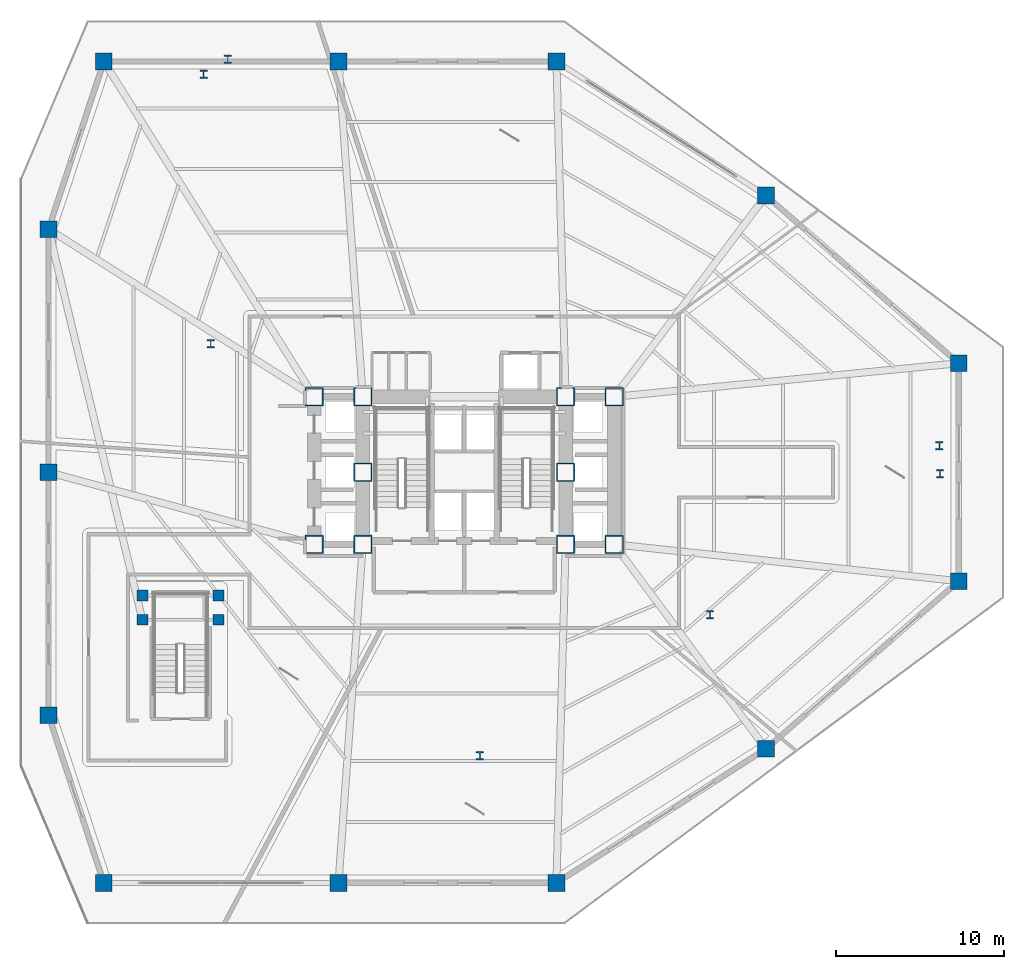
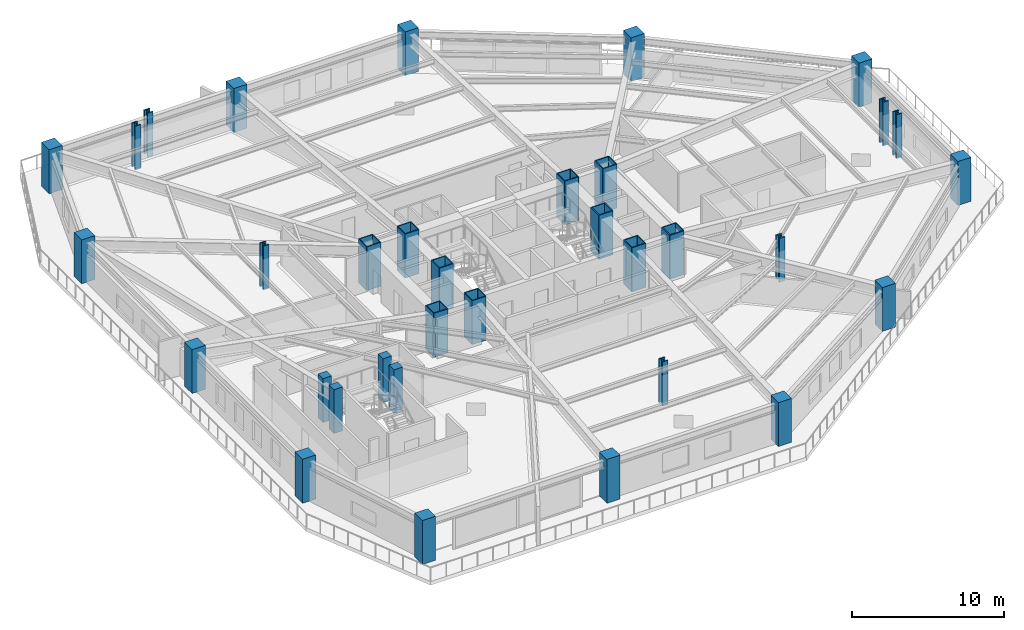
# One storey, part 1 of 12: 34 columns.
"""IFC4 building model written with IfcOpenShell, lengths in metres."""

import ifcopenshell
import ifcopenshell.guid

model = None  # the IFC model being written
_history = None  # IfcOwnerHistory: only IFC2X3 demands one
_inside = {}  # id of a spatial element -> (the spatial element, [elements in it])
_under = {}  # id of a project, library or spatial element -> (it, [spatial elements below it])
_declared = {}  # id of a project -> (the project, [libraries it declares])
_typed = {}  # id of a type object -> (the type object, [elements of that type])
_made_of = {}  # id of a material, layer set ... -> (it, [elements and type objects made of it])


def new_model(schema):
    """Start an empty IFC model of exactly this schema.

    Asked for "IFC4X3", IfcOpenShell would pick the latest addendum, in which some entities
    have other attributes; the version numbers below select the first issue.
    IFC2X3 requires an IfcOwnerHistory on every rooted entity: one is made here for all.
    """
    global model, _history
    if schema == "IFC4X3":
        model = ifcopenshell.file(schema_version=(4, 3, 0, 0))
    else:
        model = ifcopenshell.file(schema=schema)
    _inside.clear()
    _under.clear()
    _declared.clear()
    _typed.clear()
    _made_of.clear()
    _history = None
    if model.schema == "IFC2X3":
        org = make("IfcOrganization", Name="unknown")
        user = make(
            "IfcPersonAndOrganization",
            ThePerson=make("IfcPerson", FamilyName="unknown"),
            TheOrganization=org,
        )
        app = make(
            "IfcApplication",
            ApplicationDeveloper=org,
            Version="unknown",
            ApplicationFullName="unknown",
            ApplicationIdentifier="unknown",
        )
        _history = make(
            "IfcOwnerHistory",
            OwningUser=user,
            OwningApplication=app,
            ChangeAction="ADDED",
            CreationDate=0,
        )
    return model


def make(cls, **values):
    """One entity of the class cls with the attributes given. An attribute that is None is left unset."""
    return model.create_entity(
        cls, **{name: value for name, value in values.items() if value is not None}
    )


def rooted(cls, **values):
    """An entity with a GlobalId (a new one), such as an element, a storey or a relation."""
    return make(cls, GlobalId=ifcopenshell.guid.new(), OwnerHistory=_history, **values)


def si_unit(unit_type, name, prefix=None):
    """IfcSIUnit, for example si_unit("LENGTHUNIT", "METRE", prefix="MILLI")."""
    return make("IfcSIUnit", UnitType=unit_type, Prefix=prefix, Name=name)


def assignment(units):
    """IfcUnitAssignment: the units of a project."""
    return None if units is None else make("IfcUnitAssignment", Units=units)


def point(xyz):
    """IfcCartesianPoint."""
    return None if xyz is None else make("IfcCartesianPoint", Coordinates=xyz)


def direction(xyz):
    """IfcDirection."""
    return None if xyz is None else make("IfcDirection", DirectionRatios=xyz)


def frame(location, z_axis=None, x_axis=None):
    """IfcAxis2Placement3D, a coordinate frame: its origin and axes. An axis left out is left unset."""
    return make(
        "IfcAxis2Placement3D",
        Location=point(location),
        Axis=direction(z_axis),
        RefDirection=direction(x_axis),
    )


def frame_2d(location, x_axis=None):
    """IfcAxis2Placement2D, a coordinate frame in the plane: its origin and x axis."""
    return make(
        "IfcAxis2Placement2D", Location=point(location), RefDirection=direction(x_axis)
    )


def origin():
    """The frame at (0, 0, 0) with its axes left unset."""
    return frame((0.0, 0.0, 0.0))


def origin_2d():
    """The frame at (0, 0) in the plane with its x axis left unset."""
    return frame_2d((0.0, 0.0))


def place(relative_to, where):
    """IfcLocalPlacement: puts the frame where relative to a parent placement (None: the world)."""
    return make(
        "IfcLocalPlacement", PlacementRelTo=relative_to, RelativePlacement=where
    )


def context(
    kind, dimensions, precision=None, world=None, true_north=None, identifier=None
):
    """IfcGeometricRepresentationContext, for example the 3D "Model" context."""
    return make(
        "IfcGeometricRepresentationContext",
        ContextIdentifier=identifier,
        ContextType=kind,
        CoordinateSpaceDimension=dimensions,
        Precision=precision,
        WorldCoordinateSystem=world,
        TrueNorth=true_north,
    )


def subcontext(parent, identifier, kind, view, scale=None):
    """IfcGeometricRepresentationSubContext, for example "Body" below "Model"."""
    return make(
        "IfcGeometricRepresentationSubContext",
        ContextIdentifier=identifier,
        ContextType=kind,
        ParentContext=parent,
        TargetScale=scale,
        TargetView=view,
    )


def project(units=None, contexts=None):
    """IfcProject with its units and contexts."""
    return rooted(
        "IfcProject",
        Name="project",
        RepresentationContexts=contexts,
        UnitsInContext=assignment(units),
    )


def spatial(cls, under=None, at=None, **own):
    """A site, building, storey or space (cls), placed at a placement, below another one or the project."""
    s = rooted(cls, ObjectPlacement=at, **own)
    if under is not None:
        _under.setdefault(under.id(), (under, []))[1].append(s)
    return s


def profile(cls, at=None, kind="AREA", **sizes):
    """A parametric profile (cls). Its sizes go by their IFC names, for example OverallWidth=200.0."""
    return make(cls, ProfileType=kind, Position=at, **sizes)


def rectangle(**sizes):
    """IfcRectangleProfileDef."""
    return profile("IfcRectangleProfileDef", **sizes)


def hollow_rectangle(**sizes):
    """IfcRectangleHollowProfileDef."""
    return profile("IfcRectangleHollowProfileDef", **sizes)


def i_section(**sizes):
    """IfcIShapeProfileDef."""
    return profile("IfcIShapeProfileDef", **sizes)


def extrude(swept, where, along, depth):
    """IfcExtrudedAreaSolid: the profile swept, set in the frame where, extruded along a direction by depth."""
    return make(
        "IfcExtrudedAreaSolid",
        SweptArea=swept,
        Position=where,
        ExtrudedDirection=direction(along),
        Depth=depth,
    )


def shape(context_of_items, identifier, shape_type, items):
    """IfcShapeRepresentation: the items that make up one representation, for example the "Body"."""
    return make(
        "IfcShapeRepresentation",
        ContextOfItems=context_of_items,
        RepresentationIdentifier=identifier,
        RepresentationType=shape_type,
        Items=items,
    )


def material(Name=None, Category=None):
    """IfcMaterial."""
    return make("IfcMaterial", Name=Name, Category=Category)


def material_profile(
    of_material, cross_section, Name=None, Category=None, Priority=None
):
    """IfcMaterialProfile: a cross section and its material."""
    return make(
        "IfcMaterialProfile",
        Name=Name,
        Material=of_material,
        Profile=cross_section,
        Priority=Priority,
        Category=Category,
    )


def profile_set(profiles, Name=None, composite=None):
    """IfcMaterialProfileSet."""
    return make(
        "IfcMaterialProfileSet",
        Name=Name,
        MaterialProfiles=profiles,
        CompositeProfile=composite,
    )


def made_of(thing, what):
    """Note that an element or type object is made of a material, layer set ...; save() writes the relation."""
    if what is not None:
        _made_of.setdefault(what.id(), (what, []))[1].append(thing)
    return thing


def type_object(cls, material=None, **own):
    """A type object (cls), such as IfcWallType, which elements share."""
    return made_of(rooted(cls, **own), material)


def element(
    cls,
    number,
    at=None,
    inside=None,
    cuts=None,
    type_object=None,
    material=None,
    context=None,
    identifier="Body",
    shape_type=None,
    held_by="IfcProductDefinitionShape",
    body=None,
    shapes=None,
    **own,
):
    """One element of the class cls, such as IfcWall. Its Tag is "e" and its number.

    at: its placement. inside: the storey or other place that contains it. cuts: it is an
    opening in that element (IfcRelVoidsElement). A single representation is given by context,
    identifier, shape_type and body (its items); several are given by shapes. held_by: the class
    of the entity that holds the representations. save() writes the other relations.
    """
    e = rooted(cls, Tag="e%d" % number, ObjectPlacement=at, **own)
    if body is not None:
        shapes = [shape(context, identifier, shape_type, body)]
    if shapes is not None:
        e.Representation = make(held_by, Representations=shapes)
    if inside is not None:
        _inside.setdefault(inside.id(), (inside, []))[1].append(e)
    if cuts is not None:
        rooted(
            "IfcRelVoidsElement", RelatingBuildingElement=cuts, RelatedOpeningElement=e
        )
    if type_object is not None:
        _typed.setdefault(type_object.id(), (type_object, []))[1].append(e)
    return made_of(e, material)


def aggregate(whole, parts):
    """IfcRelAggregates: a whole, such as a stair, and the parts it consists of."""
    return rooted("IfcRelAggregates", RelatingObject=whole, RelatedObjects=parts)


def save(model, path):
    """Write the relations noted so far, then the file.

    IfcRelAggregates (storeys below a building ...), IfcRelContainedInSpatialStructure (elements
    in a storey), IfcRelDefinesByType, IfcRelAssociatesMaterial and IfcRelDeclares: one each for
    every whole, place, type object, material and project.
    """
    for whole, parts in _under.values():
        aggregate(whole, parts)
    for where, things in _inside.values():
        rooted(
            "IfcRelContainedInSpatialStructure",
            RelatedElements=things,
            RelatingStructure=where,
        )
    for kind, things in _typed.values():
        rooted("IfcRelDefinesByType", RelatedObjects=things, RelatingType=kind)
    for what, things in _made_of.values():
        rooted("IfcRelAssociatesMaterial", RelatedObjects=things, RelatingMaterial=what)
    for by, libraries in _declared.values():
        rooted("IfcRelDeclares", RelatingContext=by, RelatedDefinitions=libraries)
    model.write(path)


model = new_model("IFC4")

# Units and contexts
model_context = context("Model", 3, precision=1e-05, world=origin(), true_north=direction((0.0, 1.0)))
body_context = subcontext(model_context, "Body", "Model", "MODEL_VIEW")
ifc_project = project(units=[si_unit("LENGTHUNIT", "METRE"), si_unit("AREAUNIT", "SQUARE_METRE"), si_unit("VOLUMEUNIT", "CUBIC_METRE"), si_unit("PLANEANGLEUNIT", "RADIAN"), si_unit("MASSUNIT", "GRAM", prefix="KILO")], contexts=[model_context])

# Site, building, storey
site_placement = place(None, origin())
site = spatial("IfcSite", under=ifc_project, at=site_placement, CompositionType="ELEMENT")
building_placement = place(site_placement, origin())
building = spatial("IfcBuilding", under=site, at=building_placement, Name="Rocaltana Carrier Exchange", CompositionType="ELEMENT")
storey_placement = place(building_placement, frame((0.0, 0.0, 11.840087890625)))
storey = spatial("IfcBuildingStorey", under=building, at=storey_placement, Name="L04", CompositionType="ELEMENT", Elevation=11.840087890625)

# Columns
ifc_material_1 = material(Name="Steel S460", Category="steel")
ifc_material_profile_1 = material_profile(ifc_material_1, hollow_rectangle(XDim=1.10009765625, YDim=1.10009765625, WallThickness=0.070068359375, InnerFilletRadius=0.02001953125, OuterFilletRadius=0.0400390625, at=origin_2d()), Name="BOX1100X1100X70")
ifc_profile_set_1 = profile_set([ifc_material_profile_1], Name="Steel S460")
column_type_1 = type_object("IfcColumnType", Name="Core Mega-Column BOX1100", PredefinedType="COLUMN", material=ifc_profile_set_1)
for number, where, z_axis, x_axis, name in (
    (1, (-6.050048828125, 4.5, 0.0), (0.0, 0.0, 1.0), (1.0, 0.0, 0.0), "L04 Core Mega-Column MC1"),
    (2, (6.050048828125, 4.5, 0.0), (0.0, 0.0, 1.0), (1.0, 0.0, 0.0), "L04 Core Mega-Column MC2"),
    (3, (-6.050048828125, 0.0, 0.0), (0.0, 0.0, 1.0), (1.0, 0.0, 0.0), "L04 Core Mega-Column MC3"),
    (4, (6.050048828125, 0.0, 0.0), (0.0, 0.0, 1.0), (1.0, 0.0, 0.0), "L04 Core Mega-Column MC4"),
    (5, (-6.050048828125, -4.300048828125, 0.0), (0.0, 0.0, 1.0), (1.0, 0.0, 0.0), "L04 Core Mega-Column MC5"),
    (6, (6.050048828125, -4.300048828125, 0.0), (0.0, 0.0, 1.0), (1.0, 0.0, 0.0), "L04 Core Mega-Column MC6"),
    (7, (-8.949951171875, 4.5, 0.0), (0.0, 0.0, 1.0), (1.0, 0.0, 0.0), "L04 West Core Column WC1"),
    (8, (-8.949951171875, -4.300048828125, 0.0), (0.0, 0.0, 1.0), (1.0, 0.0, 0.0), "L04 West Core Column WC2"),
    (9, (8.949951171875, 4.5, 0.0), (0.0, 0.0, 1.0), (1.0, 0.0, 0.0), "L04 East Core Column EC1"),
    (10, (8.949951171875, -4.300048828125, 0.0), (0.0, 0.0, 1.0), (1.0, 0.0, 0.0), "L04 East Core Column EC2"),
):
    element("IfcColumn", number, at=place(storey_placement, frame(where, z_axis=z_axis, x_axis=x_axis)), inside=storey, type_object=column_type_1, Name=name, PredefinedType="COLUMN", context=body_context, shape_type="SweptSolid", body=[
        extrude(hollow_rectangle(XDim=1.10009765625, YDim=1.10009765625, WallThickness=0.070068359375, InnerFilletRadius=0.02001953125, OuterFilletRadius=0.0400390625, at=origin_2d()), origin(), (0.0, 0.0, 1.0), 3.52001953125),
    ])
ifc_material_2 = material(Name="Steel S460", Category="steel")
ifc_material_profile_2 = material_profile(ifc_material_2, i_section(OverallWidth=0.431884765625, OverallDepth=0.498046875, WebThickness=0.0556640625, FlangeThickness=0.0888671875, FilletRadius=0.02490234375, at=origin_2d()), Name="W14X500")
ifc_profile_set_2 = profile_set([ifc_material_profile_2], Name="Steel S460")
column_type_2 = type_object("IfcColumnType", Name="Perimeter Column W14X500", PredefinedType="COLUMN", material=ifc_profile_set_2)
for number, where, z_axis, x_axis, name in (
    (11, (28.340576171875, 1.5849609375, 0.0), (0.0, 0.0, 1.0), (1.0, 0.0, 0.0), "L04 Podium Tower Mega-Column PT01"),
    (12, (-14.106201171875, 24.631591796875, 0.0), (0.0, 0.0, 1.0), (1.0, 0.0, 0.0), "L04 Podium Tower Mega-Column PT04"),
    (13, (-15.54296875, 23.751220703125, 0.0), (0.0, 0.0, 1.0), (1.0, 0.0, 0.0), "L04 Podium Tower Mega-Column PT05"),
    (14, (-15.121337890625, 7.65673828125, 0.0), (0.0, 0.0, 1.0), (1.0, 0.0, 0.0), "L04 Podium Tower Mega-Column PT06"),
    (15, (0.9296875, -16.923828125, 0.0), (0.0, 0.0, 1.0), (1.0, 0.0, 0.0), "L04 Podium Tower Mega-Column PT10"),
    (16, (14.6572265625, -8.51171875, 0.0), (0.0, 0.0, 1.0), (1.0, 0.0, 0.0), "L04 Podium Tower Mega-Column PT11"),
    (17, (28.384765625, -0.099609375, 0.0), (0.0, 0.0, 1.0), (1.0, 0.0, 0.0), "L04 Podium Tower Mega-Column PT12"),
):
    element("IfcColumn", number, at=place(storey_placement, frame(where, z_axis=z_axis, x_axis=x_axis)), inside=storey, type_object=column_type_2, Name=name, PredefinedType="COLUMN", context=body_context, shape_type="SweptSolid", body=[
        extrude(i_section(OverallWidth=0.431884765625, OverallDepth=0.498046875, WebThickness=0.0556640625, FlangeThickness=0.0888671875, FilletRadius=0.02490234375, at=origin_2d()), origin(), (0.0, 0.0, 1.0), 3.52001953125),
    ])
ifc_material_3 = material(Name="Concrete C60/75", Category="concrete")
ifc_material_profile_3 = material_profile(ifc_material_3, rectangle(XDim=1.0, YDim=1.0, at=origin_2d()), Name="RC-COL-1000X1000")
ifc_profile_set_3 = profile_set([ifc_material_profile_3], Name="Concrete C60/75")
column_type_3 = type_object("IfcColumnType", Name="Podium RC Column 1000", PredefinedType="COLUMN", material=ifc_profile_set_3)
for number, where, z_axis, x_axis, name in (
    (18, (-21.5, -24.5, 0.0), (0.0, 0.0, 1.0), (1.0, 0.0, 0.0), "L04 Podium Mega-Column PC01"),
    (19, (-7.5, -24.5, 0.0), (0.0, 0.0, 1.0), (1.0, 0.0, 0.0), "L04 Podium Mega-Column PC02"),
    (20, (5.5, -24.5, 0.0), (0.0, 0.0, 1.0), (1.0, 0.0, 0.0), "L04 Podium Mega-Column PC03"),
    (21, (18.0, -16.5, 0.0), (0.0, 0.0, 1.0), (1.0, 0.0, 0.0), "L04 Podium Mega-Column PC04"),
    (22, (29.5, -6.5, 0.0), (0.0, 0.0, 1.0), (1.0, 0.0, 0.0), "L04 Podium Mega-Column PC05"),
    (23, (29.5, 6.5, 0.0), (0.0, 0.0, 1.0), (1.0, 0.0, 0.0), "L04 Podium Mega-Column PC06"),
    (24, (18.0, 16.5, 0.0), (0.0, 0.0, 1.0), (1.0, 0.0, 0.0), "L04 Podium Mega-Column PC07"),
    (25, (5.5, 24.5, 0.0), (0.0, 0.0, 1.0), (1.0, 0.0, 0.0), "L04 Podium Mega-Column PC08"),
    (26, (-7.5, 24.5, 0.0), (0.0, 0.0, 1.0), (1.0, 0.0, 0.0), "L04 Podium Mega-Column PC09"),
    (27, (-21.5, 24.5, 0.0), (0.0, 0.0, 1.0), (1.0, 0.0, 0.0), "L04 Podium Mega-Column PC10"),
    (28, (-24.800048828125, 14.5, 0.0), (0.0, 0.0, 1.0), (1.0, 0.0, 0.0), "L04 Podium Mega-Column PC11"),
    (29, (-24.800048828125, 0.0, 0.0), (0.0, 0.0, 1.0), (1.0, 0.0, 0.0), "L04 Podium Mega-Column PC13"),
    (30, (-24.800048828125, -14.5, 0.0), (0.0, 0.0, 1.0), (1.0, 0.0, 0.0), "L04 Podium Mega-Column PC12"),
):
    element("IfcColumn", number, at=place(storey_placement, frame(where, z_axis=z_axis, x_axis=x_axis)), inside=storey, type_object=column_type_3, Name=name, PredefinedType="COLUMN", context=body_context, shape_type="SweptSolid", body=[
        extrude(rectangle(XDim=1.0, YDim=1.0, at=origin_2d()), origin(), (0.0, 0.0, 1.0), 3.52001953125),
    ])
ifc_material_4 = material(Name="Concrete C50/60", Category="concrete")
ifc_material_profile_4 = material_profile(ifc_material_4, rectangle(XDim=0.64990234375, YDim=0.64990234375, at=origin_2d()), Name="RC-COL-650X650")
ifc_profile_set_4 = profile_set([ifc_material_profile_4], Name="Concrete C50/60")
column_type_4 = type_object("IfcColumnType", Name="Stair Shaft RC Column 650", PredefinedType="COLUMN", material=ifc_profile_set_4)
for number, where, z_axis, x_axis, name in (
    (31, (-19.199951171875, -8.800048828125, 0.0), (0.0, 0.0, 1.0), (1.0, 0.0, 0.0), "L04 Stair Shaft Column SC3A"),
    (32, (-14.64990234375, -8.800048828125, 0.0), (0.0, 0.0, 1.0), (1.0, 0.0, 0.0), "L04 Stair Shaft Column SC3B"),
    (33, (-19.199951171875, -7.35009765625, 0.0), (0.0, 0.0, 1.0), (1.0, 0.0, 0.0), "L04 Stair Shaft Column SC3C"),
    (34, (-14.64990234375, -7.35009765625, 0.0), (0.0, 0.0, 1.0), (1.0, 0.0, 0.0), "L04 Stair Shaft Column SC3D"),
):
    element("IfcColumn", number, at=place(storey_placement, frame(where, z_axis=z_axis, x_axis=x_axis)), inside=storey, type_object=column_type_4, Name=name, PredefinedType="COLUMN", context=body_context, shape_type="SweptSolid", body=[
        extrude(rectangle(XDim=0.64990234375, YDim=0.64990234375, at=origin_2d()), origin(), (0.0, 0.0, 1.0), 3.52001953125),
    ])

save(model, "model.ifc")
